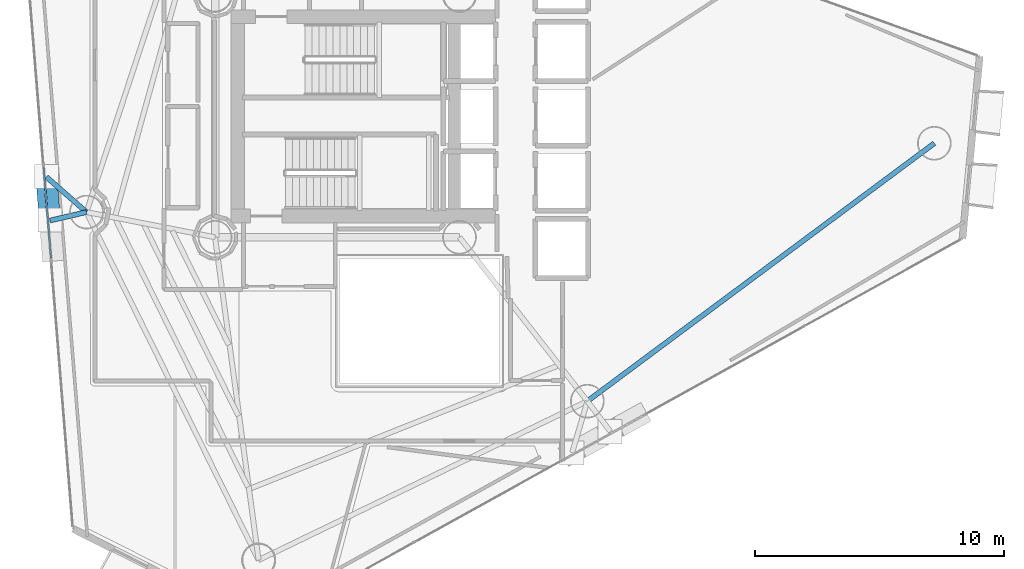
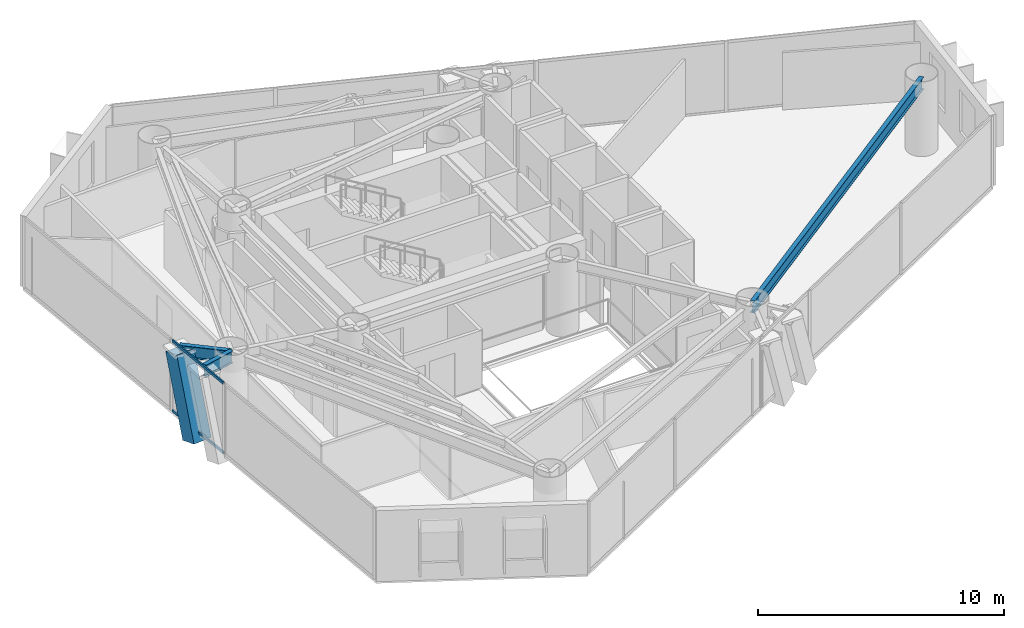
# One storey, part 8 of 21: 3 beams, 3 members, 1 element without a shape of its own.
"""IFC4 building model written with IfcOpenShell, lengths in metres."""

from ifc_helpers import new_model, si_unit, direction, frame, origin, origin_2d, place, context, subcontext, project, spatial, hollow_rectangle, i_section, extrude, material, layer, layer_set, material_profile, profile_set, type_object, element, aggregate, save


model = new_model("IFC4")

# Units and contexts
model_context = context("Model", 3, precision=1e-05, world=origin(), true_north=direction((0.0, 1.0)))
body_context = subcontext(model_context, "Body", "Model", "MODEL_VIEW")
ifc_project = project(units=[si_unit("LENGTHUNIT", "METRE"), si_unit("AREAUNIT", "SQUARE_METRE"), si_unit("VOLUMEUNIT", "CUBIC_METRE"), si_unit("PLANEANGLEUNIT", "RADIAN"), si_unit("MASSUNIT", "GRAM", prefix="KILO")], contexts=[model_context])

# Site, building, storey
site_placement = place(None, origin())
site = spatial("IfcSite", under=ifc_project, at=site_placement, CompositionType="ELEMENT")
building_placement = place(site_placement, origin())
building = spatial("IfcBuilding", under=site, at=building_placement, Name="Qianvela Tower", CompositionType="ELEMENT")
storey_placement = place(building_placement, frame((0.0, 0.0, 166.10009765625)))
storey = spatial("IfcBuildingStorey", under=building, at=storey_placement, Name="L42", CompositionType="ELEMENT", Elevation=166.10009765625)

# Beams
ifc_material_1 = material(Name="Steel Q355B", Category="steel")
ifc_material_profile_1 = material_profile(ifc_material_1, i_section(OverallWidth=0.199951171875, OverallDepth=0.60009765625, WebThickness=0.010986328125, FlangeThickness=0.01708984375, at=origin_2d()), Name="HN600x200x11x17")
ifc_profile_set_1 = profile_set([ifc_material_profile_1], Name="Steel Q355B")
beam_type = type_object("IfcBeamType", Name="BM-HN600-GIRD", PredefinedType="BEAM", material=ifc_profile_set_1)
beam_1_placement = place(storey_placement, frame((23.446044921875, 24.85888671875, 3.218017578125), z_axis=(-0.752052366772, 0.659103358839, 0.0), x_axis=(-0.659103358839, -0.752052366772, 0.0)))
element("IfcBeam", 1, at=beam_1_placement, inside=storey, type_object=beam_type, Name="L42 Mega-Brace Column Tie Bracket F2-1", PredefinedType="BEAM", context=body_context, shape_type="SweptSolid", body=[
    extrude(i_section(OverallWidth=0.199951171875, OverallDepth=0.60009765625, WebThickness=0.010986328125, FlangeThickness=0.01708984375, at=origin_2d()), origin(), (0.0, 0.0, 1.0), 2.135498046875),
])
beam_2_placement = place(storey_placement, frame((23.446044921875, 24.85888671875, 3.218017578125), z_axis=(-0.974147005864, -0.225915052544, 0.0), x_axis=(0.225915052544, -0.974147005864, 0.0)))
element("IfcBeam", 2, at=beam_2_placement, inside=storey, type_object=beam_type, Name="L42 Mega-Brace Column Tie Bracket F2-2", PredefinedType="BEAM", context=body_context, shape_type="SweptSolid", body=[
    extrude(i_section(OverallWidth=0.199951171875, OverallDepth=0.60009765625, WebThickness=0.010986328125, FlangeThickness=0.01708984375, at=origin_2d()), origin(), (0.0, 0.0, 1.0), 1.503173828125),
])
beam_3_placement = place(storey_placement, frame((43.52490234375, 17.279052734375, 3.218017578125), z_axis=(0.802568869864, 0.596559476603, 0.0), x_axis=(-0.596559476603, 0.802568869864, 0.0)))
element("IfcBeam", 3, at=beam_3_placement, inside=storey, type_object=beam_type, Name="L42 Perimeter Ring Spandrel Girder 6", PredefinedType="BEAM", context=body_context, shape_type="SweptSolid", body=[
    extrude(i_section(OverallWidth=0.199951171875, OverallDepth=0.60009765625, WebThickness=0.010986328125, FlangeThickness=0.01708984375, at=origin_2d()), origin(), (0.0, 0.0, 1.0), 17.330810546875),
])

# Curtain wall, members
ifc_material_2 = material(Name="Anodised Architectural Aluminium and Insulated Spandrel Panel", Category="aluminium")
ifc_layer = layer(ifc_material_2, 0.179931640625)
ifc_layer_set = layer_set([ifc_layer], Name="Anodised Architectural Aluminium and Insulated Spandrel Panel")
curtain_wall_type = type_object("IfcCurtainWallType", Name="CW-BRACEBAY", PredefinedType="USERDEFINED", material=ifc_layer_set)
curtain_wall_placement = place(storey_placement, origin())
curtain_wall = element("IfcCurtainWall", 4, at=curtain_wall_placement, inside=storey, type_object=curtain_wall_type, Name="L42 CW-BRACEBAY Curtain Wall 04B", ObjectType="CURTAIN_WALL_SYSTEM", PredefinedType="USERDEFINED")
ifc_material_3 = material(Name="Anodised Architectural Aluminium 6063-T6", Category="aluminium")
ifc_material_profile_2 = material_profile(ifc_material_3, hollow_rectangle(XDim=0.06494140625, YDim=0.1298828125, WallThickness=0.00439453125, at=origin_2d()), Name="ALU-TRAN-65x130")
ifc_profile_set_2 = profile_set([ifc_material_profile_2], Name="Anodised Architectural Aluminium 6063-T6")
member_type_1 = type_object("IfcMemberType", Name="CW-BRACEBAY-TRAN", PredefinedType="USERDEFINED", material=ifc_profile_set_2)
member_1_placement = place(storey_placement, frame((21.728759765625, 26.648193359375, 0.032470703125), z_axis=(0.080869749389, -0.99672467795, 0.0), x_axis=(0.99672467795, 0.080869749389, 0.0)))
member_1 = element("IfcMember", 5, at=member_1_placement, type_object=member_type_1, Name="CW-9 transom 1.1", ObjectType="TRANSOM", PredefinedType="USERDEFINED", context=body_context, shape_type="SweptSolid", body=[
    extrude(hollow_rectangle(XDim=0.06494140625, YDim=0.1298828125, WallThickness=0.00439453125, at=origin_2d()), origin(), (0.0, 0.0, 1.0), 3.64990234375),
])
member_2_placement = place(storey_placement, frame((21.728759765625, 26.648193359375, 3.4873046875), z_axis=(0.080869749389, -0.99672467795, 0.0), x_axis=(0.99672467795, 0.080869749389, 0.0)))
member_2 = element("IfcMember", 6, at=member_2_placement, type_object=member_type_1, Name="CW-9 transom 1.2", ObjectType="TRANSOM", PredefinedType="USERDEFINED", context=body_context, shape_type="SweptSolid", body=[
    extrude(hollow_rectangle(XDim=0.06494140625, YDim=0.1298828125, WallThickness=0.00439453125, at=origin_2d()), origin(), (0.0, 0.0, 1.0), 3.64990234375),
])
aggregate(curtain_wall, [member_1, member_2])

# Member
ifc_material_4 = material(Name="Steel Q420GJC", Category="steel")
ifc_material_profile_3 = material_profile(ifc_material_4, hollow_rectangle(XDim=0.85009765625, YDim=0.85009765625, WallThickness=0.031982421875, at=origin_2d()), Name="MBOX-850x850x32")
ifc_profile_set_3 = profile_set([ifc_material_profile_3], Name="Steel Q420GJC")
member_type_2 = type_object("IfcMemberType", Name="MBR-MBRACE-850", PredefinedType="BRACE", material=ifc_profile_set_3)
member_3_placement = place(storey_placement, frame((21.939453125, 25.04150390625, -0.482177734375), z_axis=(-0.025485316186, 0.314151919671, 0.949030594884), x_axis=(-0.996725587062, -0.080858543738, 0.0)))
element("IfcMember", 7, at=member_3_placement, inside=storey, type_object=member_type_2, Name="L42 Tier 7 Exterior Mega-Brace F2A", PredefinedType="BRACE", context=body_context, shape_type="SweptSolid", body=[
    extrude(hollow_rectangle(XDim=0.85009765625, YDim=0.85009765625, WallThickness=0.031982421875, at=origin_2d()), origin(), (0.0, 0.0, 1.0), 3.89892578125),
])

save(model, "model.ifc")
